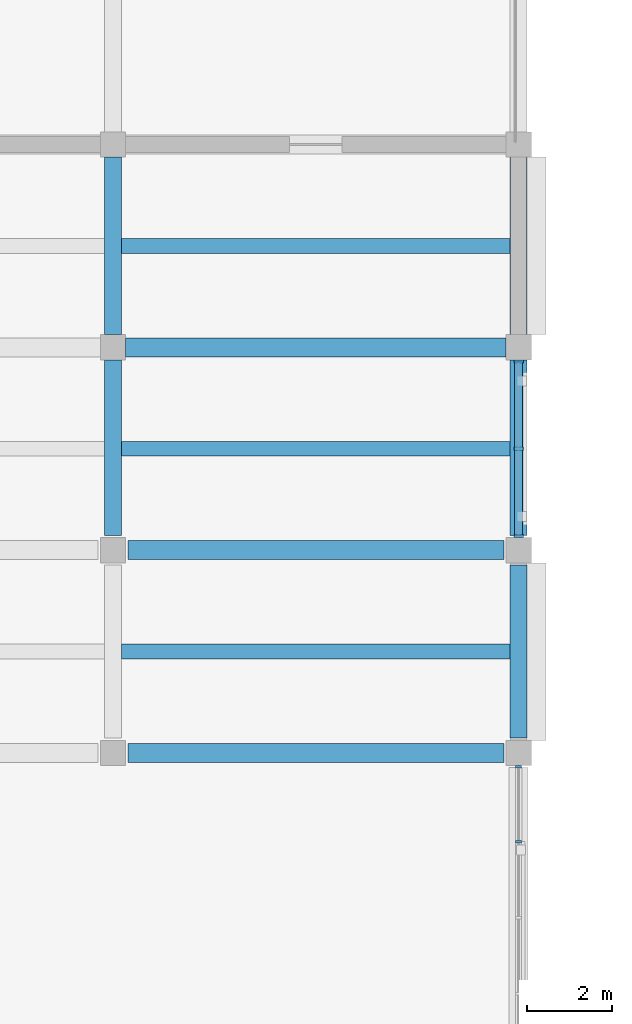
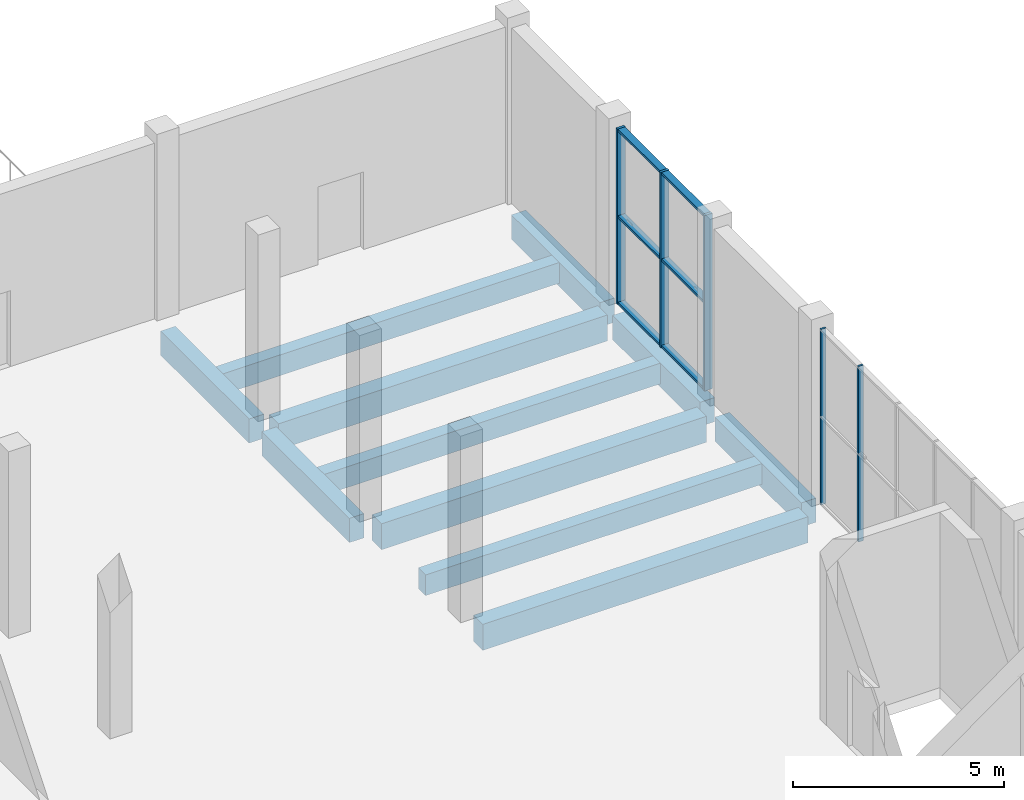
# One storey, part 18 of 83: 11 beams, 8 members, 2 elements without a shape of their own.
"""IFC4 building model written with IfcOpenShell, lengths in metres."""

from ifc_helpers import new_model, si_unit, direction, frame, origin, origin_2d, place, context, subcontext, project, spatial, rectangle, extrude, material, material_profile, profile_set, type_object, element, aggregate, save


model = new_model("IFC4")

# Units and contexts
model_context = context("Model", 3, precision=1e-05, world=origin(), true_north=direction((0.0, 1.0)))
body_context = subcontext(model_context, "Body", "Model", "MODEL_VIEW")
ifc_project = project(units=[si_unit("LENGTHUNIT", "METRE"), si_unit("AREAUNIT", "SQUARE_METRE"), si_unit("VOLUMEUNIT", "CUBIC_METRE"), si_unit("PLANEANGLEUNIT", "RADIAN"), si_unit("MASSUNIT", "GRAM", prefix="KILO")], contexts=[model_context])

# Site, building, storey
site_placement = place(None, origin())
site = spatial("IfcSite", under=ifc_project, at=site_placement, CompositionType="ELEMENT")
building_placement = place(site_placement, origin())
building = spatial("IfcBuilding", under=site, at=building_placement, Name="Shalvenor Court Art Gallery", CompositionType="ELEMENT")
storey_placement = place(building_placement, frame((0.0, 0.0, 6.0)))
storey = spatial("IfcBuildingStorey", under=building, at=storey_placement, Name="L01", CompositionType="ELEMENT", Elevation=6.0)

# Beams
ifc_material_1 = material(Name="Concrete C40/50", Category="concrete")
ifc_material_profile_1 = material_profile(ifc_material_1, rectangle(XDim=0.449951171875, YDim=0.75, at=origin_2d()), Name="RC 450x750")
ifc_profile_set_1 = profile_set([ifc_material_profile_1], Name="Concrete C40/50")
beam_type_1 = type_object("IfcBeamType", Name="B-04", PredefinedType="BEAM", material=ifc_profile_set_1)
for number, where, z_axis, x_axis, name in (
    (1, (115.550048828125, 19.199951171875, -0.695068359375), (1.0, 0.0, 0.0), (0.0, 1.0, 0.0), "L01 Girder BM-L01-B-04-0514"),
    (2, (115.550048828125, 24.0, -0.695068359375), (1.0, 0.0, 0.0), (0.0, 1.0, 0.0), "L01 Girder BM-L01-B-04-0517"),
):
    element("IfcBeam", number, at=place(storey_placement, frame(where, z_axis=z_axis, x_axis=x_axis)), inside=storey, type_object=beam_type_1, Name=name, PredefinedType="BEAM", context=body_context, shape_type="SweptSolid", body=[
        extrude(rectangle(XDim=0.449951171875, YDim=0.75, at=origin_2d()), origin(), (0.0, 0.0, 1.0), 8.89990234375),
    ])
beam_1_placement = place(storey_placement, frame((115.5, 28.800048828125, -0.695068359375), z_axis=(1.0, 0.0, 0.0), x_axis=(0.0, 1.0, 0.0)))
element("IfcBeam", 3, at=beam_1_placement, inside=storey, type_object=beam_type_1, Name="L01 Girder BM-L01-B-04-0527", PredefinedType="BEAM", context=body_context, shape_type="SweptSolid", body=[
    extrude(rectangle(XDim=0.449951171875, YDim=0.75, at=origin_2d()), origin(), (0.0, 0.0, 1.0), 9.0),
])
ifc_material_2 = material(Name="Concrete C40/50", Category="concrete")
ifc_material_profile_2 = material_profile(ifc_material_2, rectangle(XDim=0.39990234375, YDim=0.699951171875, at=origin_2d()), Name="RC 400x700")
ifc_profile_set_2 = profile_set([ifc_material_profile_2], Name="Concrete C40/50")
beam_type_2 = type_object("IfcBeamType", Name="B-05", PredefinedType="BEAM", material=ifc_profile_set_2)
beam_2_placement = place(storey_placement, frame((115.199951171875, 24.35009765625, -0.669921875), z_axis=(0.0, 1.0, 0.0), x_axis=(-1.0, 0.0, 0.0)))
element("IfcBeam", 4, at=beam_2_placement, inside=storey, type_object=beam_type_2, Name="L01 Girder BM-L01-B-05-0441", PredefinedType="BEAM", context=body_context, shape_type="SweptSolid", body=[
    extrude(rectangle(XDim=0.39990234375, YDim=0.699951171875, at=origin_2d()), origin(), (0.0, 0.0, 1.0), 4.14990234375),
])
beam_3_placement = place(storey_placement, frame((115.199951171875, 29.10009765625, -0.669921875), z_axis=(0.0, 1.0, 0.0), x_axis=(-1.0, 0.0, 0.0)))
element("IfcBeam", 5, at=beam_3_placement, inside=storey, type_object=beam_type_2, Name="L01 Girder BM-L01-B-05-0442", PredefinedType="BEAM", context=body_context, shape_type="SweptSolid", body=[
    extrude(rectangle(XDim=0.39990234375, YDim=0.699951171875, at=origin_2d()), origin(), (0.0, 0.0, 1.0), 4.199951171875),
])
beam_4_placement = place(storey_placement, frame((124.800048828125, 19.550048828125, -0.669921875), z_axis=(0.0, 1.0, 0.0), x_axis=(-1.0, 0.0, 0.0)))
element("IfcBeam", 6, at=beam_4_placement, inside=storey, type_object=beam_type_2, Name="L01 Girder BM-L01-B-05-0447", PredefinedType="BEAM", context=body_context, shape_type="SweptSolid", body=[
    extrude(rectangle(XDim=0.39990234375, YDim=0.699951171875, at=origin_2d()), origin(), (0.0, 0.0, 1.0), 4.099853515625),
])
beam_5_placement = place(storey_placement, frame((124.800048828125, 24.35009765625, -0.669921875), z_axis=(0.0, 1.0, 0.0), x_axis=(-1.0, 0.0, 0.0)))
element("IfcBeam", 7, at=beam_5_placement, inside=storey, type_object=beam_type_2, Name="L01 Girder BM-L01-B-05-0448", PredefinedType="BEAM", context=body_context, shape_type="SweptSolid", body=[
    extrude(rectangle(XDim=0.39990234375, YDim=0.699951171875, at=origin_2d()), origin(), (0.0, 0.0, 1.0), 4.14990234375),
])
beam_6_placement = place(storey_placement, frame((124.800048828125, 29.10009765625, -0.669921875), z_axis=(0.0, 1.0, 0.0), x_axis=(-1.0, 0.0, 0.0)))
element("IfcBeam", 8, at=beam_6_placement, inside=storey, type_object=beam_type_2, Name="L01 Girder BM-L01-B-05-0449", PredefinedType="BEAM", context=body_context, shape_type="SweptSolid", body=[
    extrude(rectangle(XDim=0.39990234375, YDim=0.699951171875, at=origin_2d()), origin(), (0.0, 0.0, 1.0), 4.199951171875),
])

# Curtain wall, members
ifc_material_3 = material(Name="Anodised aluminium and low-iron glass curtain wall", Category="aluminium")
curtain_wall_type_1 = type_object("IfcCurtainWallType", Name="CW-2x2-42-51-442", PredefinedType="USERDEFINED", material=ifc_material_3)
curtain_wall_1_placement = place(storey_placement, origin())
curtain_wall_1 = element("IfcCurtainWall", 9, at=curtain_wall_1_placement, inside=storey, type_object=curtain_wall_type_1, Name="L01 V3 Curtain Wall CW-L01-098", ObjectType="CURTAIN WALL", PredefinedType="USERDEFINED")
ifc_material_4 = material(Name="Anodised aluminium mullion", Category="aluminium")
ifc_material_profile_3 = material_profile(ifc_material_4, rectangle(XDim=0.074951171875, YDim=0.219970703125, at=origin_2d()), Name="CWM-04")
ifc_profile_set_3 = profile_set([ifc_material_profile_3], Name="Anodised aluminium mullion")
member_type_1 = type_object("IfcMemberType", Name="CWM-04", PredefinedType="MULLION", material=ifc_profile_set_3)
member_1_placement = place(storey_placement, frame((124.800048828125, 28.46240234375, 0.0), z_axis=(0.0, 0.0, 1.0), x_axis=(0.0, -1.0, 0.0)))
member_1 = element("IfcMember", 10, at=member_1_placement, type_object=member_type_1, Name="CW-2x2-42-51-442 mullion 1", PredefinedType="MULLION", context=body_context, shape_type="SweptSolid", body=[
    extrude(rectangle(XDim=0.074951171875, YDim=0.219970703125, at=origin_2d()), origin(), (0.0, 0.0, 1.0), 5.080078125),
])
member_2_placement = place(storey_placement, frame((124.800048828125, 26.39990234375, 0.0), z_axis=(0.0, 0.0, 1.0), x_axis=(0.0, -1.0, 0.0)))
member_2 = element("IfcMember", 11, at=member_2_placement, type_object=member_type_1, Name="CW-2x2-42-51-442 mullion 2", PredefinedType="MULLION", context=body_context, shape_type="SweptSolid", body=[
    extrude(rectangle(XDim=0.074951171875, YDim=0.219970703125, at=origin_2d()), origin(), (0.0, 0.0, 1.0), 5.080078125),
])
member_3_placement = place(storey_placement, frame((124.800048828125, 24.33740234375, 0.0), z_axis=(0.0, 0.0, 1.0), x_axis=(0.0, -1.0, 0.0)))
member_3 = element("IfcMember", 12, at=member_3_placement, type_object=member_type_1, Name="CW-2x2-42-51-442 mullion 3", PredefinedType="MULLION", context=body_context, shape_type="SweptSolid", body=[
    extrude(rectangle(XDim=0.074951171875, YDim=0.219970703125, at=origin_2d()), origin(), (0.0, 0.0, 1.0), 5.080078125),
])

ifc_material_5 = material(Name="Anodised aluminium and low-iron glass curtain wall", Category="aluminium")
curtain_wall_type_2 = type_object("IfcCurtainWallType", Name="CW-5x2-90-51-612", PredefinedType="USERDEFINED", material=ifc_material_5)
curtain_wall_2_placement = place(storey_placement, origin())
curtain_wall_2 = element("IfcCurtainWall", 13, at=curtain_wall_2_placement, inside=storey, type_object=curtain_wall_type_2, Name="L01 V3 Curtain Wall CW-L01-099", ObjectType="CURTAIN WALL", PredefinedType="USERDEFINED")
ifc_material_6 = material(Name="Anodised aluminium mullion", Category="aluminium")
ifc_material_profile_4 = material_profile(ifc_material_6, rectangle(XDim=0.054931640625, YDim=0.139892578125, at=origin_2d()), Name="CWM-06")
ifc_profile_set_4 = profile_set([ifc_material_profile_4], Name="Anodised aluminium mullion")
member_type_2 = type_object("IfcMemberType", Name="CWM-06", PredefinedType="MULLION", material=ifc_profile_set_4)
member_4_placement = place(storey_placement, frame((124.800048828125, 18.87255859375, 0.0), z_axis=(0.0, 0.0, 1.0), x_axis=(0.0, -1.0, 0.0)))
member_4 = element("IfcMember", 14, at=member_4_placement, type_object=member_type_2, Name="CW-5x2-90-51-612 mullion 1", PredefinedType="MULLION", context=body_context, shape_type="SweptSolid", body=[
    extrude(rectangle(XDim=0.054931640625, YDim=0.139892578125, at=origin_2d()), origin(), (0.0, 0.0, 1.0), 5.080078125),
])
member_5_placement = place(storey_placement, frame((124.800048828125, 17.10009765625, 0.0), z_axis=(0.0, 0.0, 1.0), x_axis=(0.0, -1.0, 0.0)))
member_5 = element("IfcMember", 15, at=member_5_placement, type_object=member_type_2, Name="CW-5x2-90-51-612 mullion 2", PredefinedType="MULLION", context=body_context, shape_type="SweptSolid", body=[
    extrude(rectangle(XDim=0.054931640625, YDim=0.139892578125, at=origin_2d()), origin(), (0.0, 0.0, 1.0), 5.080078125),
])
aggregate(curtain_wall_2, [member_4, member_5])

# Member
ifc_material_7 = material(Name="Anodised aluminium transom", Category="aluminium")
ifc_material_profile_5 = material_profile(ifc_material_7, rectangle(XDim=0.18994140625, YDim=0.070068359375, at=origin_2d()), Name="CWT-04")
ifc_profile_set_5 = profile_set([ifc_material_profile_5], Name="Anodised aluminium transom")
member_type_3 = type_object("IfcMemberType", Name="CWT-04", PredefinedType="USERDEFINED", material=ifc_profile_set_5)
member_6_placement = place(storey_placement, frame((124.800048828125, 28.46240234375, 0.034912109375), z_axis=(0.0, -1.0, 0.0), x_axis=(1.0, 0.0, 0.0)))
member_6 = element("IfcMember", 16, at=member_6_placement, type_object=member_type_3, Name="CW-2x2-42-51-442 transom 1", ObjectType="TRANSOM", PredefinedType="USERDEFINED", context=body_context, shape_type="SweptSolid", body=[
    extrude(rectangle(XDim=0.18994140625, YDim=0.070068359375, at=origin_2d()), origin(), (0.0, 0.0, 1.0), 4.125),
])

member_7_placement = place(storey_placement, frame((124.800048828125, 28.46240234375, 2.5400390625), z_axis=(0.0, -1.0, 0.0), x_axis=(1.0, 0.0, 0.0)))
member_7 = element("IfcMember", 17, at=member_7_placement, type_object=member_type_3, Name="CW-2x2-42-51-442 transom 2", ObjectType="TRANSOM", PredefinedType="USERDEFINED", context=body_context, shape_type="SweptSolid", body=[
    extrude(rectangle(XDim=0.18994140625, YDim=0.070068359375, at=origin_2d()), origin(), (0.0, 0.0, 1.0), 4.125),
])

member_8_placement = place(storey_placement, frame((124.800048828125, 28.46240234375, 5.044921875), z_axis=(0.0, -1.0, 0.0), x_axis=(1.0, 0.0, 0.0)))
member_8 = element("IfcMember", 18, at=member_8_placement, type_object=member_type_3, Name="CW-2x2-42-51-442 transom 3", ObjectType="TRANSOM", PredefinedType="USERDEFINED", context=body_context, shape_type="SweptSolid", body=[
    extrude(rectangle(XDim=0.18994140625, YDim=0.070068359375, at=origin_2d()), origin(), (0.0, 0.0, 1.0), 4.125),
])

aggregate(curtain_wall_1, [member_1, member_2, member_3, member_6, member_7, member_8])

# Beams
ifc_material_8 = material(Name="Concrete C40/50", Category="concrete")
ifc_material_profile_6 = material_profile(ifc_material_8, rectangle(XDim=0.35009765625, YDim=0.60009765625, at=origin_2d()), Name="RC 350x600")
ifc_profile_set_6 = profile_set([ifc_material_profile_6], Name="Concrete C40/50")
beam_type_3 = type_object("IfcBeamType", Name="J-01", PredefinedType="JOIST", material=ifc_profile_set_6)
for number, where, z_axis, x_axis, name in (
    (19, (115.39990234375, 21.60009765625, -0.6201171875), (1.0, 0.0, 0.0), (0.0, 1.0, 0.0), "L01 Secondary Beam JST-L01-J-01-0668"),
    (20, (115.39990234375, 26.39990234375, -0.6201171875), (1.0, 0.0, 0.0), (0.0, 1.0, 0.0), "L01 Secondary Beam JST-L01-J-01-0669"),
    (21, (115.39990234375, 31.199951171875, -0.6201171875), (1.0, 0.0, 0.0), (0.0, 1.0, 0.0), "L01 Secondary Beam JST-L01-J-01-0670"),
):
    element("IfcBeam", number, at=place(storey_placement, frame(where, z_axis=z_axis, x_axis=x_axis)), inside=storey, type_object=beam_type_3, Name=name, PredefinedType="JOIST", context=body_context, shape_type="SweptSolid", body=[
        extrude(rectangle(XDim=0.35009765625, YDim=0.60009765625, at=origin_2d()), origin(), (0.0, 0.0, 1.0), 9.2001953125),
    ])

save(model, "model.ifc")
